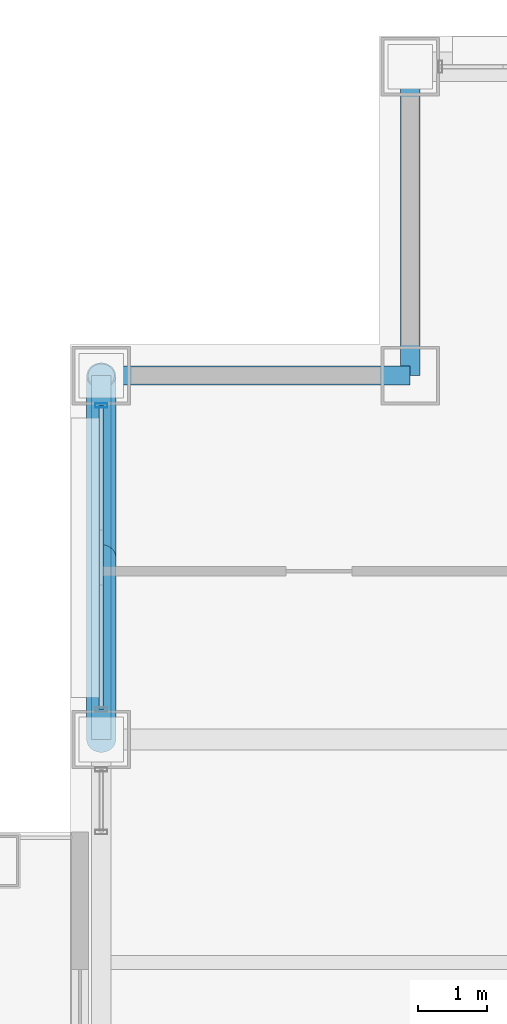
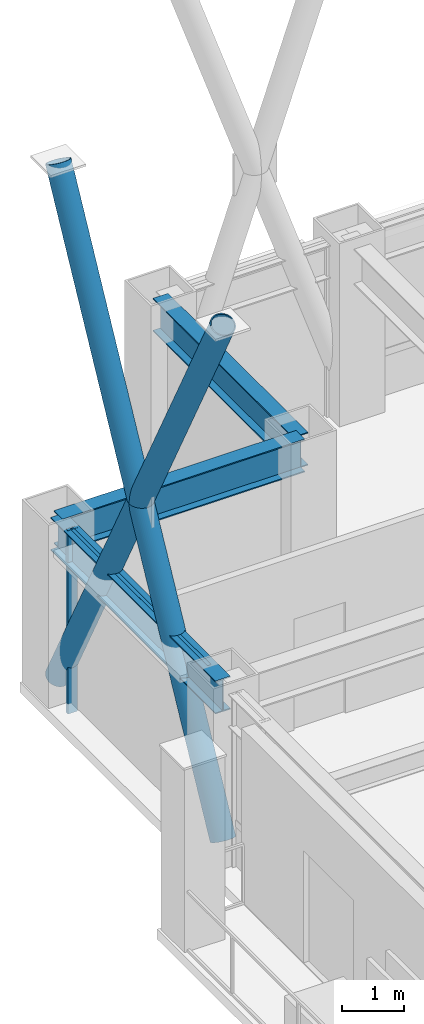
# One storey, part 19 of 34: 5 members, 3 beams, 1 element without a shape of its own.
"""IFC4 building model written with IfcOpenShell, lengths in metres."""

from ifc_helpers import new_model, si_unit, direction, frame, origin, origin_2d, place, context, subcontext, project, spatial, hollow_rectangle, hollow_circle, i_section, extrude, material, layer, layer_set, material_profile, profile_set, type_object, element, aggregate, save


model = new_model("IFC4")

# Units and contexts
model_context = context("Model", 3, precision=1e-05, world=origin(), true_north=direction((0.0, 1.0)))
body_context = subcontext(model_context, "Body", "Model", "MODEL_VIEW")
ifc_project = project(units=[si_unit("LENGTHUNIT", "METRE"), si_unit("AREAUNIT", "SQUARE_METRE"), si_unit("VOLUMEUNIT", "CUBIC_METRE"), si_unit("PLANEANGLEUNIT", "RADIAN"), si_unit("MASSUNIT", "GRAM", prefix="KILO")], contexts=[model_context])

# Site, building, storey
site_placement = place(None, origin())
site = spatial("IfcSite", under=ifc_project, at=site_placement, CompositionType="ELEMENT")
building_placement = place(site_placement, origin())
building = spatial("IfcBuilding", under=site, at=building_placement, Name="Brelmoor Portico Tower", CompositionType="ELEMENT")
storey_placement = place(building_placement, frame((0.0, 0.0, 99.0)))
storey = spatial("IfcBuildingStorey", under=building, at=storey_placement, Name="L25", CompositionType="ELEMENT", Elevation=99.0)

# Beams
ifc_material_1 = material(Name="Steel Q355B", Category="steel")
ifc_material_profile_1 = material_profile(ifc_material_1, i_section(OverallWidth=0.280029296875, OverallDepth=0.64990234375, WebThickness=0.012939453125, FlangeThickness=0.02197265625, at=origin_2d()), Name="HN 650x280x13x22")
ifc_profile_set_1 = profile_set([ifc_material_profile_1], Name="Steel Q355B")
beam_type = type_object("IfcBeamType", Name="BM-SP-650", PredefinedType="SPANDREL", material=ifc_profile_set_1)
beam_1_placement = place(storey_placement, frame((-22.550048828125, 15.050048828125, 3.074951171875), z_axis=(1.0, 0.0, 0.0), x_axis=(0.0, 1.0, 0.0)))
element("IfcBeam", 1, at=beam_1_placement, inside=storey, type_object=beam_type, Name="L25 Perimeter Spandrel Beam SP-08", PredefinedType="SPANDREL", context=body_context, shape_type="SweptSolid", body=[
    extrude(i_section(OverallWidth=0.280029296875, OverallDepth=0.64990234375, WebThickness=0.012939453125, FlangeThickness=0.02197265625, at=origin_2d()), origin(), (0.0, 0.0, 1.0), 4.5),
])
beam_2_placement = place(storey_placement, frame((-22.550048828125, 9.75, 3.074951171875), z_axis=(0.0, 1.0, 0.0), x_axis=(-1.0, 0.0, 0.0)))
element("IfcBeam", 2, at=beam_2_placement, inside=storey, type_object=beam_type, Name="L25 Perimeter Spandrel Beam SP-17", PredefinedType="SPANDREL", context=body_context, shape_type="SweptSolid", body=[
    extrude(i_section(OverallWidth=0.280029296875, OverallDepth=0.64990234375, WebThickness=0.012939453125, FlangeThickness=0.02197265625, at=origin_2d()), origin(), (0.0, 0.0, 1.0), 5.300048828125),
])
beam_3_placement = place(storey_placement, frame((-18.050048828125, 15.050048828125, 3.074951171875), z_axis=(0.0, 1.0, 0.0), x_axis=(-1.0, 0.0, 0.0)))
element("IfcBeam", 3, at=beam_3_placement, inside=storey, type_object=beam_type, Name="L25 Perimeter Spandrel Beam SP-19", PredefinedType="SPANDREL", context=body_context, shape_type="SweptSolid", body=[
    extrude(i_section(OverallWidth=0.280029296875, OverallDepth=0.64990234375, WebThickness=0.012939453125, FlangeThickness=0.02197265625, at=origin_2d()), origin(), (0.0, 0.0, 1.0), 4.5),
])

# Members
ifc_material_profile_2 = material_profile(ifc_material_1, hollow_circle(Radius=0.212890625, WallThickness=0.02001953125, at=origin_2d()), Name="CHS 426x20")
ifc_profile_set_2 = profile_set([ifc_material_profile_2], Name="Steel Q355B")
member_type_1 = type_object("IfcMemberType", Name="MB-BELT-DIAG1", PredefinedType="BRACE", material=ifc_profile_set_2)
member_1_placement = place(storey_placement, frame((-22.550048828125, 9.75, 0.25), z_axis=(0.0, 0.464661902242, 0.885488179822), x_axis=(-1.0, 0.0, 0.0)))
element("IfcMember", 4, at=member_1_placement, inside=storey, type_object=member_type_1, Name="L25 Continuous Mega-X Brace 055A", PredefinedType="BRACE", context=body_context, shape_type="SweptSolid", body=[
    extrude(hollow_circle(Radius=0.212890625, WallThickness=0.02001953125, at=origin_2d()), origin(), (0.0, 0.0, 1.0), 11.40625),
])
for number, where, z_axis, x_axis, name in (
    (5, (-22.550048828125, 15.050048828125, 0.25), (0.0, -0.464678684729, 0.885479372972), (1.0, 0.0, 0.0), "L25 Split Mega-X Brace 055B1"),
    (6, (-22.550048828125, 12.39990234375, 5.300048828125), (0.0, -0.464645119255, 0.885496986529), (1.0, 0.0, 0.0), "L25 Split Mega-X Brace 055B2"),
):
    element("IfcMember", number, at=place(storey_placement, frame(where, z_axis=z_axis, x_axis=x_axis)), inside=storey, type_object=member_type_1, Name=name, PredefinedType="BRACE", context=body_context, shape_type="SweptSolid", body=[
        extrude(hollow_circle(Radius=0.212890625, WallThickness=0.02001953125, at=origin_2d()), origin(), (0.0, 0.0, 1.0), 5.703125),
    ])

# Curtain wall, members
ifc_material_2 = material(Name="Anodised Aluminium Alloy 6063-T6", Category="aluminium")
ifc_layer = layer(ifc_material_2, 0.179931640625)
ifc_layer_set = layer_set([ifc_layer], Name="Anodised Aluminium Alloy 6063-T6")
curtain_wall_type = type_object("IfcCurtainWallType", Name="CW-TOWER-Z2-XB", PredefinedType="NOTDEFINED", material=ifc_layer_set)
curtain_wall_placement = place(storey_placement, origin())
curtain_wall = element("IfcCurtainWall", 7, at=curtain_wall_placement, inside=storey, type_object=curtain_wall_type, Name="L25 Curtain Wall CW-L25-3R-2", PredefinedType="NOTDEFINED")
ifc_material_profile_3 = material_profile(ifc_material_2, hollow_rectangle(XDim=0.06494140625, YDim=0.179931640625, WallThickness=0.00390625, at=origin_2d()), Name="ALU MULLION 65x180")
ifc_profile_set_3 = profile_set([ifc_material_profile_3], Name="Anodised Aluminium Alloy 6063-T6")
member_type_2 = type_object("IfcMemberType", Name="MB-CW-MULL-180", PredefinedType="MULLION", material=ifc_profile_set_3)
member_2_placement = place(storey_placement, frame((-22.550048828125, 14.614990234375, -0.199951171875), z_axis=(0.0, 0.0, 1.0), x_axis=(0.0, 1.0, 0.0)))
member_2 = element("IfcMember", 8, at=member_2_placement, type_object=member_type_2, Name="CW-L25-3R-2 Mullion 01", PredefinedType="MULLION", context=body_context, shape_type="SweptSolid", body=[
    extrude(hollow_rectangle(XDim=0.06494140625, YDim=0.179931640625, WallThickness=0.00390625, at=origin_2d()), origin(), (0.0, 0.0, 1.0), 3.599853515625),
])
ifc_material_profile_4 = material_profile(ifc_material_2, hollow_rectangle(XDim=0.06494140625, YDim=0.139892578125, WallThickness=0.00390625, at=origin_2d()), Name="ALU TRANSOM 65x140")
ifc_profile_set_4 = profile_set([ifc_material_profile_4], Name="Anodised Aluminium Alloy 6063-T6")
member_type_3 = type_object("IfcMemberType", Name="MB-CW-TRAN-140", PredefinedType="USERDEFINED", material=ifc_profile_set_4)
member_3_placement = place(storey_placement, frame((-22.550048828125, 10.18505859375, 3.330078125), z_axis=(0.0, 1.0, 0.0), x_axis=(-1.0, 0.0, 0.0)))
member_3 = element("IfcMember", 9, at=member_3_placement, type_object=member_type_3, Name="CW-L25-3R-2 Transom 1-00", ObjectType="TRANSOM", PredefinedType="USERDEFINED", context=body_context, shape_type="SweptSolid", body=[
    extrude(hollow_rectangle(XDim=0.06494140625, YDim=0.139892578125, WallThickness=0.00390625, at=origin_2d()), origin(), (0.0, 0.0, 1.0), 4.429931640625),
])
aggregate(curtain_wall, [member_2, member_3])

save(model, "model.ifc")
